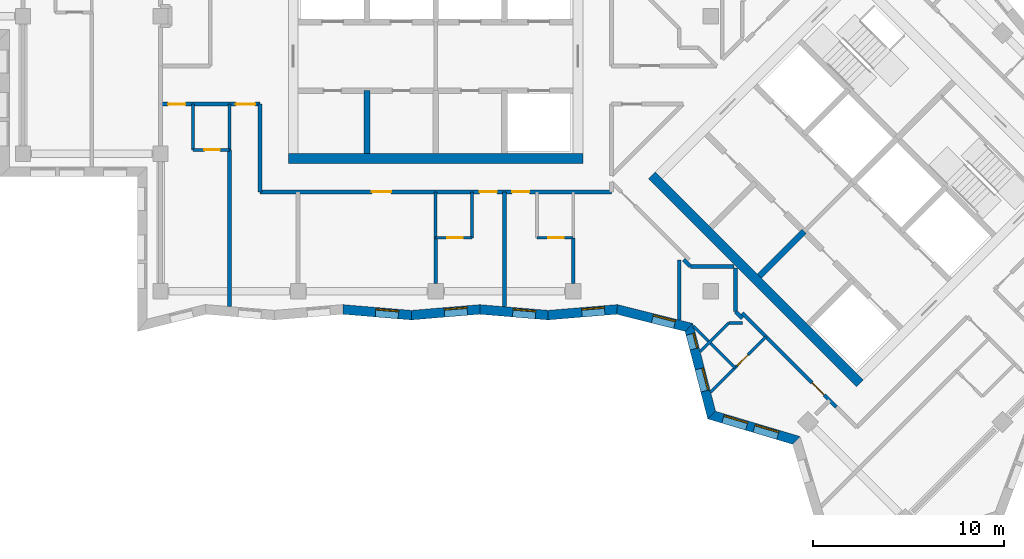
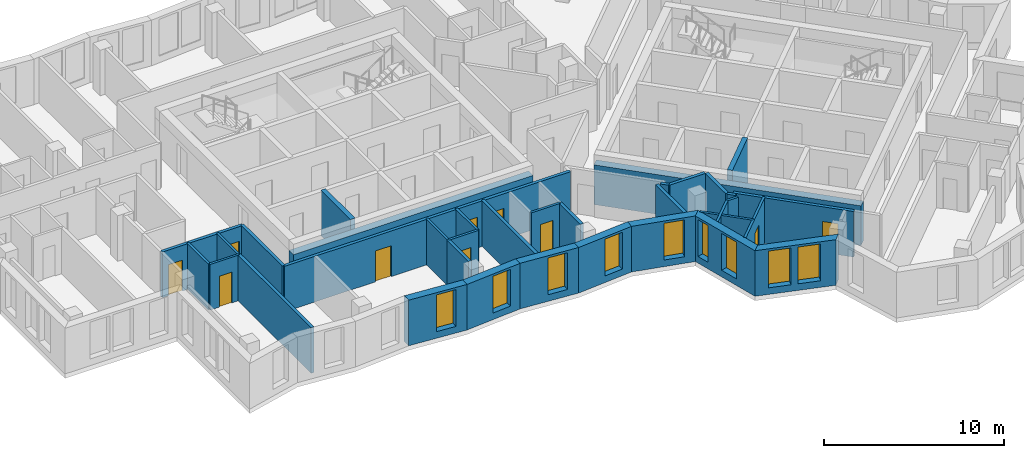
# One storey, part 3 of 11: 35 walls, 10 doors, 9 windows, 19 openings.
"""IFC4 building model written with IfcOpenShell, lengths in metres."""

from ifc_helpers import new_model, si_unit, direction, frame, frame_2d, origin, place, context, subcontext, project, spatial, polyline, rectangle, outline, extrude, material, layer, layer_set, type_object, element, fill, save


model = new_model("IFC4")

# Units and contexts
model_context = context("Model", 3, precision=1e-05, world=origin(), true_north=direction((0.0, 1.0)))
body_context = subcontext(model_context, "Body", "Model", "MODEL_VIEW")
ifc_project = project(units=[si_unit("LENGTHUNIT", "METRE"), si_unit("AREAUNIT", "SQUARE_METRE"), si_unit("VOLUMEUNIT", "CUBIC_METRE"), si_unit("PLANEANGLEUNIT", "RADIAN"), si_unit("MASSUNIT", "GRAM", prefix="KILO")], contexts=[model_context])

# Site, building, storey
site_placement = place(None, origin())
site = spatial("IfcSite", under=ifc_project, at=site_placement, CompositionType="ELEMENT")
building_placement = place(site_placement, origin())
building = spatial("IfcBuilding", under=site, at=building_placement, Name="Windrow Commons", CompositionType="ELEMENT")
storey_placement = place(building_placement, frame((0.0, 0.0, 189.6)))
storey = spatial("IfcBuildingStorey", under=building, at=storey_placement, Name="L51", CompositionType="ELEMENT", Elevation=189.6)

# Wall, opening, window
ifc_material_1 = material(Name="Brick masonry, red clay brick", Category="masonry")
ifc_layer_1 = layer(ifc_material_1, 0.5)
ifc_layer_set_1 = layer_set([ifc_layer_1], Name="Brick facade wall 500")
wall_type_1 = type_object("IfcWallType", Name="Brick facade wall 500", PredefinedType="SOLIDWALL", material=ifc_layer_set_1)
wall_1_placement = place(storey_placement, frame((59.946, 42.2509, 0.0), z_axis=(0.0, 0.0, 1.0), x_axis=(0.9965109432, -0.083462208, 0.0)))
wall_1 = element("IfcWall", 1, at=wall_1_placement, inside=storey, type_object=wall_type_1, Name="Brick facade wall L51 43", PredefinedType="SOLIDWALL", context=body_context, shape_type="SweptSolid", body=[
    extrude(outline(polyline([(0.0209, -0.25), (3.6155, -0.25), (3.5736, 0.25), (-0.0209, 0.25), (0.0209, -0.25)])), origin(), (0.0, 0.0, 1.0), 3.1),
])
opening_1_placement = place(wall_1_placement, frame((1.716, 0.0, 0.45)))
opening_1 = element("IfcOpeningElement", 2, at=opening_1_placement, cuts=wall_1, Name="Opening W7E", PredefinedType="OPENING", context=body_context, shape_type="SweptSolid", body=[
    extrude(rectangle(XDim=1.2, YDim=2.5, at=frame_2d((0.6, 1.25))), frame((0.0, 0.26, 0.0), z_axis=(0.0, -1.0, 0.0), x_axis=(1.0, 0.0, 0.0)), (0.0, 0.0, 1.0), 0.52),
])
ifc_material_2 = material(Name="Clear float glass in anodised aluminium frame", Category="aluminium")
window_type_1 = type_object("IfcWindowType", Name="Window W7 notch 1200x2500", PartitioningType="SINGLE_PANEL", PredefinedType="WINDOW", material=ifc_material_2)
window_1_placement = place(opening_1_placement, origin())
window_1 = element("IfcWindow", 3, at=window_1_placement, inside=storey, type_object=window_type_1, Name="Window L51 43.1", OverallHeight=2.5, OverallWidth=1.2, PartitioningType="SINGLE_PANEL", PredefinedType="WINDOW", context=body_context, shape_type="SweptSolid", body=[
    extrude(rectangle(XDim=1.2, YDim=2.5, at=frame_2d((0.6, 1.25))), frame((0.0, 0.18, 0.0), z_axis=(0.0, -1.0, 0.0), x_axis=(1.0, 0.0, 0.0)), (0.0, 0.0, 1.0), 0.06),
])
fill(opening_1, window_1)

wall_2_placement = place(storey_placement, frame((63.5279, 41.9509, 0.0), z_axis=(0.0, 0.0, 1.0), x_axis=(0.9965111369, 0.0834598942, 0.0)))
wall_2 = element("IfcWall", 4, at=wall_2_placement, inside=storey, type_object=wall_type_1, Name="Brick facade wall L51 44", PredefinedType="SOLIDWALL", context=body_context, shape_type="SweptSolid", body=[
    extrude(outline(polyline([(-0.0209, -0.25), (3.5736, -0.25), (3.6155, 0.25), (0.0209, 0.25), (-0.0209, -0.25)])), origin(), (0.0, 0.0, 1.0), 3.1),
])
opening_2_placement = place(wall_2_placement, frame((1.7355, 0.0, 0.45)))
opening_2 = element("IfcOpeningElement", 5, at=opening_2_placement, cuts=wall_2, Name="Opening W7E", PredefinedType="OPENING", context=body_context, shape_type="SweptSolid", body=[
    extrude(rectangle(XDim=1.2, YDim=2.5, at=frame_2d((0.6, 1.25))), frame((0.0, 0.26, 0.0), z_axis=(0.0, -1.0, 0.0), x_axis=(1.0, 0.0, 0.0)), (0.0, 0.0, 1.0), 0.52),
])
window_2_placement = place(opening_2_placement, origin())
window_2 = element("IfcWindow", 6, at=window_2_placement, inside=storey, type_object=window_type_1, Name="Window L51 44.1", OverallHeight=2.5, OverallWidth=1.2, PartitioningType="SINGLE_PANEL", PredefinedType="WINDOW", context=body_context, shape_type="SweptSolid", body=[
    extrude(rectangle(XDim=1.2, YDim=2.5, at=frame_2d((0.6, 1.25))), frame((0.0, 0.18, 0.0), z_axis=(0.0, -1.0, 0.0), x_axis=(1.0, 0.0, 0.0)), (0.0, 0.0, 1.0), 0.06),
])
fill(opening_2, window_2)

wall_3_placement = place(storey_placement, frame((67.1099, 42.2509, 0.0), z_axis=(0.0, 0.0, 1.0), x_axis=(0.9965111369, -0.0834598942, 0.0)))
wall_3 = element("IfcWall", 7, at=wall_3_placement, inside=storey, type_object=wall_type_1, Name="Brick facade wall L51 45", PredefinedType="SOLIDWALL", context=body_context, shape_type="SweptSolid", body=[
    extrude(outline(polyline([(0.0209, -0.25), (3.6155, -0.25), (3.5736, 0.25), (-0.0209, 0.25), (0.0209, -0.25)])), origin(), (0.0, 0.0, 1.0), 3.1),
])
opening_3_placement = place(wall_3_placement, frame((1.7341, 0.0, 0.45)))
opening_3 = element("IfcOpeningElement", 8, at=opening_3_placement, cuts=wall_3, Name="Opening W7E", PredefinedType="OPENING", context=body_context, shape_type="SweptSolid", body=[
    extrude(rectangle(XDim=1.2, YDim=2.5, at=frame_2d((0.6, 1.25))), frame((0.0, 0.26, 0.0), z_axis=(0.0, -1.0, 0.0), x_axis=(1.0, 0.0, 0.0)), (0.0, 0.0, 1.0), 0.52),
])
window_3_placement = place(opening_3_placement, origin())
window_3 = element("IfcWindow", 9, at=window_3_placement, inside=storey, type_object=window_type_1, Name="Window L51 45.1", OverallHeight=2.5, OverallWidth=1.2, PartitioningType="SINGLE_PANEL", PredefinedType="WINDOW", context=body_context, shape_type="SweptSolid", body=[
    extrude(rectangle(XDim=1.2, YDim=2.5, at=frame_2d((0.6, 1.25))), frame((0.0, 0.18, 0.0), z_axis=(0.0, -1.0, 0.0), x_axis=(1.0, 0.0, 0.0)), (0.0, 0.0, 1.0), 0.06),
])
fill(opening_3, window_3)

wall_4_placement = place(storey_placement, frame((70.6919, 41.9509, 0.0), z_axis=(0.0, 0.0, 1.0), x_axis=(0.9965117188, 0.0834529466, 0.0)))
wall_4 = element("IfcWall", 10, at=wall_4_placement, inside=storey, type_object=wall_type_1, Name="Brick facade wall L51 46", PredefinedType="SOLIDWALL", context=body_context, shape_type="SweptSolid", body=[
    extrude(outline(polyline([(-0.0209, -0.25), (3.5736, -0.25), (3.6568, 0.25), (0.0209, 0.25), (-0.0209, -0.25)])), origin(), (0.0, 0.0, 1.0), 3.1),
])
opening_4_placement = place(wall_4_placement, frame((1.7639, 0.0, 0.45)))
opening_4 = element("IfcOpeningElement", 11, at=opening_4_placement, cuts=wall_4, Name="Opening W7E", PredefinedType="OPENING", context=body_context, shape_type="SweptSolid", body=[
    extrude(rectangle(XDim=1.2, YDim=2.5, at=frame_2d((0.6, 1.25))), frame((0.0, 0.26, 0.0), z_axis=(0.0, -1.0, 0.0), x_axis=(1.0, 0.0, 0.0)), (0.0, 0.0, 1.0), 0.52),
])
window_4_placement = place(opening_4_placement, origin())
window_4 = element("IfcWindow", 12, at=window_4_placement, inside=storey, type_object=window_type_1, Name="Window L51 46.1", OverallHeight=2.5, OverallWidth=1.2, PartitioningType="SINGLE_PANEL", PredefinedType="WINDOW", context=body_context, shape_type="SweptSolid", body=[
    extrude(rectangle(XDim=1.2, YDim=2.5, at=frame_2d((0.6, 1.25))), frame((0.0, 0.18, 0.0), z_axis=(0.0, -1.0, 0.0), x_axis=(1.0, 0.0, 0.0)), (0.0, 0.0, 1.0), 0.06),
])
fill(opening_4, window_4)

wall_5_placement = place(storey_placement, frame((74.2945, 42.2526, 0.0), z_axis=(0.0, 0.0, 1.0), x_axis=(0.969855535, -0.243680613, 0.0)))
wall_5 = element("IfcWall", 13, at=wall_5_placement, inside=storey, type_object=wall_type_1, Name="Brick facade wall L51 47", PredefinedType="SOLIDWALL", context=body_context, shape_type="SweptSolid", body=[
    extrude(outline(polyline([(0.0416, -0.25), (3.7349, -0.25), (4.0317, 0.25), (-0.0416, 0.25), (0.0416, -0.25)])), origin(), (0.0, 0.0, 1.0), 3.1),
])
opening_5_placement = place(wall_5_placement, frame((1.9147, 0.0, 0.45)))
opening_5 = element("IfcOpeningElement", 14, at=opening_5_placement, cuts=wall_5, Name="Opening W7E", PredefinedType="OPENING", context=body_context, shape_type="SweptSolid", body=[
    extrude(rectangle(XDim=1.2, YDim=2.5, at=frame_2d((0.6, 1.25))), frame((0.0, 0.26, 0.0), z_axis=(0.0, -1.0, 0.0), x_axis=(1.0, 0.0, 0.0)), (0.0, 0.0, 1.0), 0.52),
])
window_5_placement = place(opening_5_placement, origin())
window_5 = element("IfcWindow", 15, at=window_5_placement, inside=storey, type_object=window_type_1, Name="Window L51 47.1", OverallHeight=2.5, OverallWidth=1.2, PartitioningType="SINGLE_PANEL", PredefinedType="WINDOW", context=body_context, shape_type="SweptSolid", body=[
    extrude(rectangle(XDim=1.2, YDim=2.5, at=frame_2d((0.6, 1.25))), frame((0.0, 0.18, 0.0), z_axis=(0.0, -1.0, 0.0), x_axis=(1.0, 0.0, 0.0)), (0.0, 0.0, 1.0), 0.06),
])
fill(opening_5, window_5)

# Wall, openings, windows
wall_6_placement = place(storey_placement, frame((78.0608, 41.3063, 0.0), z_axis=(0.0, 0.0, 1.0), x_axis=(0.2504653843, -0.9681255555, 0.0)))
wall_6 = element("IfcWall", 16, at=wall_6_placement, inside=storey, type_object=wall_type_1, Name="Brick facade wall L51 48", PredefinedType="SOLIDWALL", context=body_context, shape_type="SweptSolid", body=[
    extrude(outline(polyline([(0.1484, -0.25), (4.8778, -0.25), (4.5957, 0.25), (-0.1484, 0.25), (0.1484, -0.25)])), origin(), (0.0, 0.0, 1.0), 3.1),
])
opening_6_placement = place(wall_6_placement, frame((2.2291, 0.0, 0.45)))
opening_6 = element("IfcOpeningElement", 17, at=opening_6_placement, cuts=wall_6, Name="Opening W7E", PredefinedType="OPENING", context=body_context, shape_type="SweptSolid", body=[
    extrude(rectangle(XDim=1.2, YDim=2.5, at=frame_2d((0.6, 1.25))), frame((0.0, 0.26, 0.0), z_axis=(0.0, -1.0, 0.0), x_axis=(1.0, 0.0, 0.0)), (0.0, 0.0, 1.0), 0.52),
])
opening_7_placement = place(wall_6_placement, frame((0.356, 0.0, 0.45)))
opening_7 = element("IfcOpeningElement", 18, at=opening_7_placement, cuts=wall_6, Name="Opening W1N", PredefinedType="OPENING", context=body_context, shape_type="SweptSolid", body=[
    extrude(rectangle(XDim=0.8, YDim=2.5, at=frame_2d((0.4, 1.25))), frame((0.0, 0.26, 0.0), z_axis=(0.0, -1.0, 0.0), x_axis=(1.0, 0.0, 0.0)), (0.0, 0.0, 1.0), 0.52),
])
ifc_material_3 = material(Name="Clear float glass in anodised aluminium frame", Category="aluminium")
window_type_2 = type_object("IfcWindowType", Name="Window W1N slit 800x2500", PartitioningType="SINGLE_PANEL", PredefinedType="WINDOW", material=ifc_material_3)
window_6_placement = place(opening_7_placement, origin())
window_6 = element("IfcWindow", 19, at=window_6_placement, inside=storey, type_object=window_type_2, Name="Window L51 48.1A", OverallHeight=2.5, OverallWidth=0.8, PartitioningType="SINGLE_PANEL", PredefinedType="WINDOW", context=body_context, shape_type="SweptSolid", body=[
    extrude(rectangle(XDim=0.8, YDim=2.5, at=frame_2d((0.4, 1.25))), frame((0.0, 0.18, 0.0), z_axis=(0.0, -1.0, 0.0), x_axis=(1.0, 0.0, 0.0)), (0.0, 0.0, 1.0), 0.06),
])
fill(opening_7, window_6)
window_7_placement = place(opening_6_placement, origin())
window_7 = element("IfcWindow", 20, at=window_7_placement, inside=storey, type_object=window_type_1, Name="Window L51 48.2", OverallHeight=2.5, OverallWidth=1.2, PartitioningType="SINGLE_PANEL", PredefinedType="WINDOW", context=body_context, shape_type="SweptSolid", body=[
    extrude(rectangle(XDim=1.2, YDim=2.5, at=frame_2d((0.6, 1.25))), frame((0.0, 0.18, 0.0), z_axis=(0.0, -1.0, 0.0), x_axis=(1.0, 0.0, 0.0)), (0.0, 0.0, 1.0), 0.06),
])
fill(opening_6, window_7)

wall_7_placement = place(storey_placement, frame((79.2472, 36.7205, 0.0), z_axis=(0.0, 0.0, 1.0), x_axis=(0.9581363614, -0.2863122647, 0.0)))
wall_7 = element("IfcWall", 21, at=wall_7_placement, inside=storey, type_object=wall_type_1, Name="Brick facade wall L51 49", PredefinedType="SOLIDWALL", context=body_context, shape_type="SweptSolid", body=[
    extrude(outline(polyline([(-0.141, -0.25), (4.4901, -0.25), (4.76, 0.25), (0.141, 0.25), (-0.141, -0.25)])), origin(), (0.0, 0.0, 1.0), 3.1),
])
opening_8_placement = place(wall_7_placement, frame((0.6246, 0.0, 0.45)))
opening_8 = element("IfcOpeningElement", 22, at=opening_8_placement, cuts=wall_7, Name="Opening W1Q", PredefinedType="OPENING", context=body_context, shape_type="SweptSolid", body=[
    extrude(rectangle(XDim=1.3, YDim=2.5, at=frame_2d((0.65, 1.25))), frame((0.0, 0.26, 0.0), z_axis=(0.0, -1.0, 0.0), x_axis=(1.0, 0.0, 0.0)), (0.0, 0.0, 1.0), 0.52),
])
opening_9_placement = place(wall_7_placement, frame((2.3246, 0.0, 0.45)))
opening_9 = element("IfcOpeningElement", 23, at=opening_9_placement, cuts=wall_7, Name="Opening W1Q", PredefinedType="OPENING", context=body_context, shape_type="SweptSolid", body=[
    extrude(rectangle(XDim=1.3, YDim=2.5, at=frame_2d((0.65, 1.25))), frame((0.0, 0.26, 0.0), z_axis=(0.0, -1.0, 0.0), x_axis=(1.0, 0.0, 0.0)), (0.0, 0.0, 1.0), 0.52),
])
ifc_material_4 = material(Name="Clear float glass in anodised aluminium frame", Category="aluminium")
window_type_3 = type_object("IfcWindowType", Name="Window W1Q pair 1300x2500", PartitioningType="SINGLE_PANEL", PredefinedType="WINDOW", material=ifc_material_4)
window_8_placement = place(opening_8_placement, origin())
window_8 = element("IfcWindow", 24, at=window_8_placement, inside=storey, type_object=window_type_3, Name="Window L51 49.1A", OverallHeight=2.5, OverallWidth=1.3, PartitioningType="SINGLE_PANEL", PredefinedType="WINDOW", context=body_context, shape_type="SweptSolid", body=[
    extrude(rectangle(XDim=1.3, YDim=2.5, at=frame_2d((0.65, 1.25))), frame((0.0, 0.18, 0.0), z_axis=(0.0, -1.0, 0.0), x_axis=(1.0, 0.0, 0.0)), (0.0, 0.0, 1.0), 0.06),
])
fill(opening_8, window_8)
window_9_placement = place(opening_9_placement, origin())
window_9 = element("IfcWindow", 25, at=window_9_placement, inside=storey, type_object=window_type_3, Name="Window L51 49.1B", OverallHeight=2.5, OverallWidth=1.3, PartitioningType="SINGLE_PANEL", PredefinedType="WINDOW", context=body_context, shape_type="SweptSolid", body=[
    extrude(rectangle(XDim=1.3, YDim=2.5, at=frame_2d((0.65, 1.25))), frame((0.0, 0.18, 0.0), z_axis=(0.0, -1.0, 0.0), x_axis=(1.0, 0.0, 0.0)), (0.0, 0.0, 1.0), 0.06),
])
fill(opening_9, window_9)

# Wall, openings, doors
ifc_material_5 = material(Name="Blockwork partition", Category="masonry")
ifc_layer_2 = layer(ifc_material_5, 0.2)
ifc_layer_set_2 = layer_set([ifc_layer_2], Name="IW-CORRIDOR-200")
wall_type_2 = type_object("IfcWallType", Name="IW-CORRIDOR-200", PredefinedType="PARTITIONING", material=ifc_layer_set_2)
wall_8_placement = place(storey_placement, frame((55.6, 48.4, 0.0), z_axis=(0.0, 0.0, 1.0), x_axis=(1.0, 0.0, 0.0)))
wall_8 = element("IfcWall", 26, at=wall_8_placement, inside=storey, type_object=wall_type_2, Name="W-L51-W001", PredefinedType="PARTITIONING", context=body_context, shape_type="SweptSolid", body=[
    extrude(rectangle(XDim=18.4, YDim=0.2, at=frame_2d((9.2, 0.0))), origin(), (0.0, 0.0, 1.0), 3.1),
])
opening_10_placement = place(wall_8_placement, frame((5.8625, 0.0, 0.0)))
opening_10 = element("IfcOpeningElement", 27, at=opening_10_placement, cuts=wall_8, Name="Opening D310F", PredefinedType="OPENING", context=body_context, shape_type="SweptSolid", body=[
    extrude(rectangle(XDim=1.0, YDim=2.1, at=frame_2d((0.5, 1.05))), frame((0.0, 0.11, 0.0), z_axis=(0.0, -1.0, 0.0), x_axis=(1.0, 0.0, 0.0)), (0.0, 0.0, 1.0), 0.22),
])
opening_11_placement = place(wall_8_placement, frame((11.5, 0.0, 0.0)))
opening_11 = element("IfcOpeningElement", 28, at=opening_11_placement, cuts=wall_8, Name="Opening D109S", PredefinedType="OPENING", context=body_context, shape_type="SweptSolid", body=[
    extrude(rectangle(XDim=0.9, YDim=2.1, at=frame_2d((0.45, 1.05))), frame((0.0, 0.11, 0.0), z_axis=(0.0, -1.0, 0.0), x_axis=(1.0, 0.0, 0.0)), (0.0, 0.0, 1.0), 0.22),
])
opening_12_placement = place(wall_8_placement, frame((13.2, 0.0, 0.0)))
opening_12 = element("IfcOpeningElement", 29, at=opening_12_placement, cuts=wall_8, Name="Opening D109S", PredefinedType="OPENING", context=body_context, shape_type="SweptSolid", body=[
    extrude(rectangle(XDim=0.9, YDim=2.1, at=frame_2d((0.45, 1.05))), frame((0.0, 0.11, 0.0), z_axis=(0.0, -1.0, 0.0), x_axis=(1.0, 0.0, 0.0)), (0.0, 0.0, 1.0), 0.22),
])
ifc_material_6 = material(Name="Timber door leaf", Category="wood")
door_type_1 = type_object("IfcDoorType", Name="DT-AMENITY-1000", OperationType="SINGLE_SWING_LEFT", PredefinedType="DOOR", material=ifc_material_6)
door_1_placement = place(opening_10_placement, origin())
door_1 = element("IfcDoor", 30, at=door_1_placement, inside=storey, type_object=door_type_1, Name="D-L51-D025", OperationType="SINGLE_SWING_LEFT", OverallHeight=2.1, OverallWidth=1.0, PredefinedType="DOOR", context=body_context, shape_type="SweptSolid", body=[
    extrude(rectangle(XDim=1.0, YDim=2.1, at=frame_2d((0.5, 1.05))), frame((0.0, 0.025, 0.0), z_axis=(0.0, -1.0, 0.0), x_axis=(1.0, 0.0, 0.0)), (0.0, 0.0, 1.0), 0.05),
])
fill(opening_10, door_1)
ifc_material_7 = material(Name="Timber door leaf", Category="wood")
door_type_2 = type_object("IfcDoorType", Name="DT-BEDROOM-900", OperationType="SINGLE_SWING_LEFT", PredefinedType="DOOR", material=ifc_material_7)
door_2_placement = place(opening_11_placement, origin())
door_2 = element("IfcDoor", 31, at=door_2_placement, inside=storey, type_object=door_type_2, Name="D-L51-D026", OperationType="SINGLE_SWING_LEFT", OverallHeight=2.1, OverallWidth=0.9, PredefinedType="DOOR", context=body_context, shape_type="SweptSolid", body=[
    extrude(rectangle(XDim=0.9, YDim=2.1, at=frame_2d((0.45, 1.05))), frame((0.0, 0.025, 0.0), z_axis=(0.0, -1.0, 0.0), x_axis=(1.0, 0.0, 0.0)), (0.0, 0.0, 1.0), 0.05),
])
fill(opening_11, door_2)
door_3_placement = place(opening_12_placement, origin())
door_3 = element("IfcDoor", 32, at=door_3_placement, inside=storey, type_object=door_type_2, Name="D-L51-D028", OperationType="SINGLE_SWING_RIGHT", OverallHeight=2.1, OverallWidth=0.9, PredefinedType="DOOR", context=body_context, shape_type="SweptSolid", body=[
    extrude(rectangle(XDim=0.9, YDim=2.1, at=frame_2d((0.45, 1.05))), frame((0.0, 0.025, 0.0), z_axis=(0.0, -1.0, 0.0), x_axis=(1.0, 0.0, 0.0)), (0.0, 0.0, 1.0), 0.05),
])
fill(opening_12, door_3)

# Wall, opening, door
wall_9_placement = place(storey_placement, frame((80.8487, 42.0607, 0.0), z_axis=(0.0, 0.0, 1.0), x_axis=(0.7071067812, -0.7071067812, 0.0)))
wall_9 = element("IfcWall", 33, at=wall_9_placement, inside=storey, type_object=wall_type_2, Name="W-L51-W016", PredefinedType="PARTITIONING", context=body_context, shape_type="SweptSolid", body=[
    extrude(rectangle(XDim=6.9636, YDim=0.2, at=frame_2d((3.4818, 0.0))), origin(), (0.0, 0.0, 1.0), 3.1),
])
opening_13_placement = place(wall_9_placement, frame((5.1589, 0.0, 0.0)))
opening_13 = element("IfcOpeningElement", 34, at=opening_13_placement, cuts=wall_9, Name="Opening D109S", PredefinedType="OPENING", context=body_context, shape_type="SweptSolid", body=[
    extrude(rectangle(XDim=0.9, YDim=2.1, at=frame_2d((0.45, 1.05))), frame((0.0, 0.11, 0.0), z_axis=(0.0, -1.0, 0.0), x_axis=(1.0, 0.0, 0.0)), (0.0, 0.0, 1.0), 0.22),
])
door_4_placement = place(opening_13_placement, origin())
door_4 = element("IfcDoor", 35, at=door_4_placement, inside=storey, type_object=door_type_2, Name="D-L51-D036", OperationType="SINGLE_SWING_RIGHT", OverallHeight=2.1, OverallWidth=0.9, PredefinedType="DOOR", context=body_context, shape_type="SweptSolid", body=[
    extrude(rectangle(XDim=0.9, YDim=2.1, at=frame_2d((0.45, 1.05))), frame((0.0, 0.025, 0.0), z_axis=(0.0, -1.0, 0.0), x_axis=(1.0, 0.0, 0.0)), (0.0, 0.0, 1.0), 0.05),
])
fill(opening_13, door_4)

# Wall, openings, doors
wall_10_placement = place(storey_placement, frame((50.4, 53.0, 0.0), z_axis=(0.0, 0.0, 1.0), x_axis=(1.0, 0.0, 0.0)))
wall_10 = element("IfcWall", 36, at=wall_10_placement, inside=storey, type_object=wall_type_2, Name="W-L51-W033", PredefinedType="PARTITIONING", context=body_context, shape_type="SweptSolid", body=[
    extrude(rectangle(XDim=5.2, YDim=0.2, at=frame_2d((2.6, 0.0))), origin(), (0.0, 0.0, 1.0), 3.1),
])
opening_14_placement = place(wall_10_placement, frame((0.4, 0.0, 0.0)))
opening_14 = element("IfcOpeningElement", 37, at=opening_14_placement, cuts=wall_10, Name="Opening D109S", PredefinedType="OPENING", context=body_context, shape_type="SweptSolid", body=[
    extrude(rectangle(XDim=0.9, YDim=2.1, at=frame_2d((0.45, 1.05))), frame((0.0, 0.11, 0.0), z_axis=(0.0, -1.0, 0.0), x_axis=(1.0, 0.0, 0.0)), (0.0, 0.0, 1.0), 0.22),
])
opening_15_placement = place(wall_10_placement, frame((3.9455, 0.0, 0.0)))
opening_15 = element("IfcOpeningElement", 38, at=opening_15_placement, cuts=wall_10, Name="Opening D310F", PredefinedType="OPENING", context=body_context, shape_type="SweptSolid", body=[
    extrude(rectangle(XDim=1.0, YDim=2.1, at=frame_2d((0.5, 1.05))), frame((0.0, 0.11, 0.0), z_axis=(0.0, -1.0, 0.0), x_axis=(1.0, 0.0, 0.0)), (0.0, 0.0, 1.0), 0.22),
])
door_5_placement = place(opening_15_placement, origin())
door_5 = element("IfcDoor", 39, at=door_5_placement, inside=storey, type_object=door_type_1, Name="D-L51-D024", OperationType="SINGLE_SWING_RIGHT", OverallHeight=2.1, OverallWidth=1.0, PredefinedType="DOOR", context=body_context, shape_type="SweptSolid", body=[
    extrude(rectangle(XDim=1.0, YDim=2.1, at=frame_2d((0.5, 1.05))), frame((0.0, 0.025, 0.0), z_axis=(0.0, -1.0, 0.0), x_axis=(1.0, 0.0, 0.0)), (0.0, 0.0, 1.0), 0.05),
])
fill(opening_15, door_5)
door_6_placement = place(opening_14_placement, origin())
door_6 = element("IfcDoor", 40, at=door_6_placement, inside=storey, type_object=door_type_2, Name="D-L51-D022", OperationType="SINGLE_SWING_LEFT", OverallHeight=2.1, OverallWidth=0.9, PredefinedType="DOOR", context=body_context, shape_type="SweptSolid", body=[
    extrude(rectangle(XDim=0.9, YDim=2.1, at=frame_2d((0.45, 1.05))), frame((0.0, 0.025, 0.0), z_axis=(0.0, -1.0, 0.0), x_axis=(1.0, 0.0, 0.0)), (0.0, 0.0, 1.0), 0.05),
])
fill(opening_14, door_6)

# Walls
wall_11_placement = place(storey_placement, frame((55.6, 48.4, 0.0), z_axis=(0.0, 0.0, 1.0), x_axis=(0.0, 1.0, 0.0)))
element("IfcWall", 41, at=wall_11_placement, inside=storey, type_object=wall_type_2, Name="W-L51-W043", PredefinedType="PARTITIONING", context=body_context, shape_type="SweptSolid", body=[
    extrude(rectangle(XDim=4.6, YDim=0.2, at=frame_2d((2.3, 0.0))), origin(), (0.0, 0.0, 1.0), 3.1),
])
for number, where, z_axis, x_axis, name in (
    (42, (78.132, 44.5, 0.0), (0.0, 0.0, 1.0), (1.0, 0.0, 0.0), "W-L51-W084"),
    (43, (80.5, 42.132, 0.0), (0.0, 0.0, 1.0), (0.0, 1.0, 0.0), "W-L51-W085"),
):
    element("IfcWall", number, at=place(storey_placement, frame(where, z_axis=z_axis, x_axis=x_axis)), inside=storey, type_object=wall_type_2, Name=name, PredefinedType="PARTITIONING", context=body_context, shape_type="SweptSolid", body=[
        extrude(rectangle(XDim=2.292, YDim=0.2, at=frame_2d((1.146, 0.0))), origin(), (0.0, 0.0, 1.0), 3.1),
    ])
for number, where, z_axis, x_axis, name in (
    (44, (77.7792, 44.8472, 0.0), (0.0, 0.0, 1.0), (0.7071067812, -0.7071067812, 0.0), "W-L51-W135"),
    (45, (80.4972, 42.1292, 0.0), (0.0, 0.0, 1.0), (0.7071067812, -0.7071067812, 0.0), "W-L51-W136"),
):
    element("IfcWall", number, at=place(storey_placement, frame(where, z_axis=z_axis, x_axis=x_axis)), inside=storey, type_object=wall_type_2, Name=name, PredefinedType="PARTITIONING", context=body_context, shape_type="SweptSolid", body=[
        extrude(rectangle(XDim=0.495, YDim=0.2, at=frame_2d((0.2475, 0.0))), origin(), (0.0, 0.0, 1.0), 3.1),
    ])

# Wall, opening, door
ifc_material_8 = material(Name="Blockwork partition", Category="masonry")
ifc_layer_3 = layer(ifc_material_8, 0.15)
ifc_layer_set_3 = layer_set([ifc_layer_3], Name="IW-ENSUITE-150")
wall_type_3 = type_object("IfcWallType", Name="IW-ENSUITE-150", PredefinedType="PARTITIONING", material=ifc_layer_set_3)
wall_12_placement = place(storey_placement, frame((79.1963, 37.9154, 0.0), z_axis=(0.0, 0.0, 1.0), x_axis=(0.7070945944, 0.7071189677, 0.0)))
wall_12 = element("IfcWall", 46, at=wall_12_placement, inside=storey, type_object=wall_type_3, Name="W-L51-W046", PredefinedType="PARTITIONING", context=body_context, shape_type="SweptSolid", body=[
    extrude(rectangle(XDim=4.1028, YDim=0.15, at=frame_2d((2.0514, 0.0))), origin(), (0.0, 0.0, 1.0), 3.1),
])
opening_16_placement = place(wall_12_placement, frame((1.9624, 0.0, 0.0)))
opening_16 = element("IfcOpeningElement", 47, at=opening_16_placement, cuts=wall_12, Name="Opening D208N", PredefinedType="OPENING", context=body_context, shape_type="SweptSolid", body=[
    extrude(rectangle(XDim=0.8, YDim=2.1, at=frame_2d((0.4, 1.05))), frame((0.0, 0.085, 0.0), z_axis=(0.0, -1.0, 0.0), x_axis=(1.0, 0.0, 0.0)), (0.0, 0.0, 1.0), 0.17),
])
ifc_material_9 = material(Name="Timber door leaf", Category="wood")
door_type_3 = type_object("IfcDoorType", Name="DT-ENSUITE-800", OperationType="SINGLE_SWING_LEFT", PredefinedType="DOOR", material=ifc_material_9)
door_7_placement = place(opening_16_placement, origin())
door_7 = element("IfcDoor", 48, at=door_7_placement, inside=storey, type_object=door_type_3, Name="D-L51-D037", OperationType="SINGLE_SWING_RIGHT", OverallHeight=2.1, OverallWidth=0.8, PredefinedType="DOOR", context=body_context, shape_type="SweptSolid", body=[
    extrude(rectangle(XDim=0.8, YDim=2.1, at=frame_2d((0.4, 1.05))), frame((0.0, 0.025, 0.0), z_axis=(0.0, -1.0, 0.0), x_axis=(1.0, 0.0, 0.0)), (0.0, 0.0, 1.0), 0.05),
])
fill(opening_16, door_7)

# Walls
wall_13_placement = place(storey_placement, frame((78.3028, 41.3687, 0.0), z_axis=(0.0, 0.0, 1.0), x_axis=(0.706602443, -0.7076107599, 0.0)))
element("IfcWall", 49, at=wall_13_placement, inside=storey, type_object=wall_type_3, Name="W-L51-W055", PredefinedType="PARTITIONING", context=body_context, shape_type="SweptSolid", body=[
    extrude(rectangle(XDim=3.0744, YDim=0.15, at=frame_2d((1.5372, 0.0))), origin(), (0.0, 0.0, 1.0), 3.1),
])
for number, where, z_axis, x_axis, name in (
    (50, (52.1, 50.6, 0.0), (0.0, 0.0, 1.0), (0.0, 1.0, 0.0), "W-L51-W066"),
    (51, (54.0, 50.6, 0.0), (0.0, 0.0, 1.0), (0.0, 1.0, 0.0), "W-L51-W067"),
    (52, (66.7, 46.0, 0.0), (0.0, 0.0, 1.0), (0.0, 1.0, 0.0), "W-L51-W069"),
    (53, (64.8, 46.0, 0.0), (0.0, 0.0, 1.0), (0.0, 1.0, 0.0), "W-L51-W070"),
):
    element("IfcWall", number, at=place(storey_placement, frame(where, z_axis=z_axis, x_axis=x_axis)), inside=storey, type_object=wall_type_3, Name=name, PredefinedType="PARTITIONING", context=body_context, shape_type="SweptSolid", body=[
        extrude(rectangle(XDim=2.4, YDim=0.15, at=frame_2d((1.2, 0.0))), origin(), (0.0, 0.0, 1.0), 3.1),
    ])
wall_14_placement = place(storey_placement, frame((78.644, 40.0501, 0.0), z_axis=(0.0, 0.0, 1.0), x_axis=(0.7070832255, 0.7071303361, 0.0)))
element("IfcWall", 54, at=wall_14_placement, inside=storey, type_object=wall_type_3, Name="W-L51-W094", PredefinedType="PARTITIONING", context=body_context, shape_type="SweptSolid", body=[
    extrude(rectangle(XDim=2.1227, YDim=0.15, at=frame_2d((1.0614, 0.0))), origin(), (0.0, 0.0, 1.0), 3.1),
])

# Wall, opening, door
wall_15_placement = place(storey_placement, frame((64.8, 46.0, 0.0), z_axis=(0.0, 0.0, 1.0), x_axis=(1.0, 0.0, 0.0)))
wall_15 = element("IfcWall", 55, at=wall_15_placement, inside=storey, type_object=wall_type_3, Name="W-L51-W104", PredefinedType="PARTITIONING", context=body_context, shape_type="SweptSolid", body=[
    extrude(rectangle(XDim=1.9, YDim=0.15, at=frame_2d((0.95, 0.0))), origin(), (0.0, 0.0, 1.0), 3.1),
])
opening_17_placement = place(wall_15_placement, frame((0.6069, 0.0, 0.0)))
opening_17 = element("IfcOpeningElement", 56, at=opening_17_placement, cuts=wall_15, Name="Opening D208N", PredefinedType="OPENING", context=body_context, shape_type="SweptSolid", body=[
    extrude(rectangle(XDim=0.8, YDim=2.1, at=frame_2d((0.4, 1.05))), frame((0.0, 0.085, 0.0), z_axis=(0.0, -1.0, 0.0), x_axis=(1.0, 0.0, 0.0)), (0.0, 0.0, 1.0), 0.17),
])
door_8_placement = place(opening_17_placement, origin())
door_8 = element("IfcDoor", 57, at=door_8_placement, inside=storey, type_object=door_type_3, Name="D-L51-D027", OperationType="SINGLE_SWING_RIGHT", OverallHeight=2.1, OverallWidth=0.8, PredefinedType="DOOR", context=body_context, shape_type="SweptSolid", body=[
    extrude(rectangle(XDim=0.8, YDim=2.1, at=frame_2d((0.4, 1.05))), frame((0.0, 0.025, 0.0), z_axis=(0.0, -1.0, 0.0), x_axis=(1.0, 0.0, 0.0)), (0.0, 0.0, 1.0), 0.05),
])
fill(opening_17, door_8)

wall_16_placement = place(storey_placement, frame((70.1, 46.0, 0.0), z_axis=(0.0, 0.0, 1.0), x_axis=(1.0, 0.0, 0.0)))
wall_16 = element("IfcWall", 58, at=wall_16_placement, inside=storey, type_object=wall_type_3, Name="W-L51-W105", PredefinedType="PARTITIONING", context=body_context, shape_type="SweptSolid", body=[
    extrude(rectangle(XDim=1.9, YDim=0.15, at=frame_2d((0.95, 0.0))), origin(), (0.0, 0.0, 1.0), 3.1),
])
opening_18_placement = place(wall_16_placement, frame((0.5979, 0.0, 0.0)))
opening_18 = element("IfcOpeningElement", 59, at=opening_18_placement, cuts=wall_16, Name="Opening D208N", PredefinedType="OPENING", context=body_context, shape_type="SweptSolid", body=[
    extrude(rectangle(XDim=0.8, YDim=2.1, at=frame_2d((0.4, 1.05))), frame((0.0, 0.085, 0.0), z_axis=(0.0, -1.0, 0.0), x_axis=(1.0, 0.0, 0.0)), (0.0, 0.0, 1.0), 0.17),
])
door_9_placement = place(opening_18_placement, origin())
door_9 = element("IfcDoor", 60, at=door_9_placement, inside=storey, type_object=door_type_3, Name="D-L51-D029", OperationType="SINGLE_SWING_RIGHT", OverallHeight=2.1, OverallWidth=0.8, PredefinedType="DOOR", context=body_context, shape_type="SweptSolid", body=[
    extrude(rectangle(XDim=0.8, YDim=2.1, at=frame_2d((0.4, 1.05))), frame((0.0, 0.025, 0.0), z_axis=(0.0, -1.0, 0.0), x_axis=(1.0, 0.0, 0.0)), (0.0, 0.0, 1.0), 0.05),
])
fill(opening_18, door_9)

wall_17_placement = place(storey_placement, frame((52.1, 50.6, 0.0), z_axis=(0.0, 0.0, 1.0), x_axis=(1.0, 0.0, 0.0)))
wall_17 = element("IfcWall", 61, at=wall_17_placement, inside=storey, type_object=wall_type_3, Name="W-L51-W108", PredefinedType="PARTITIONING", context=body_context, shape_type="SweptSolid", body=[
    extrude(rectangle(XDim=1.9, YDim=0.15, at=frame_2d((0.95, 0.0))), origin(), (0.0, 0.0, 1.0), 3.1),
])
opening_19_placement = place(wall_17_placement, frame((0.5979, 0.0, 0.0)))
opening_19 = element("IfcOpeningElement", 62, at=opening_19_placement, cuts=wall_17, Name="Opening D208N", PredefinedType="OPENING", context=body_context, shape_type="SweptSolid", body=[
    extrude(rectangle(XDim=0.8, YDim=2.1, at=frame_2d((0.4, 1.05))), frame((0.0, 0.085, 0.0), z_axis=(0.0, -1.0, 0.0), x_axis=(1.0, 0.0, 0.0)), (0.0, 0.0, 1.0), 0.17),
])
door_10_placement = place(opening_19_placement, origin())
door_10 = element("IfcDoor", 63, at=door_10_placement, inside=storey, type_object=door_type_3, Name="D-L51-D023", OperationType="SINGLE_SWING_RIGHT", OverallHeight=2.1, OverallWidth=0.8, PredefinedType="DOOR", context=body_context, shape_type="SweptSolid", body=[
    extrude(rectangle(XDim=0.8, YDim=2.1, at=frame_2d((0.4, 1.05))), frame((0.0, 0.025, 0.0), z_axis=(0.0, -1.0, 0.0), x_axis=(1.0, 0.0, 0.0)), (0.0, 0.0, 1.0), 0.05),
])
fill(opening_19, door_10)

# Walls
wall_18_placement = place(storey_placement, frame((80.146, 41.55, 0.0), z_axis=(0.0, 0.0, 1.0), x_axis=(1.0, 0.0, 0.0)))
element("IfcWall", 64, at=wall_18_placement, inside=storey, type_object=wall_type_3, Name="W-L51-W127", PredefinedType="PARTITIONING", context=body_context, shape_type="SweptSolid", body=[
    extrude(rectangle(XDim=0.702, YDim=0.15, at=frame_2d((0.351, 0.0))), origin(), (0.0, 0.0, 1.0), 3.1),
])
ifc_material_10 = material(Name="Blockwork partition", Category="masonry")
ifc_layer_4 = layer(ifc_material_10, 0.2)
ifc_layer_set_4 = layer_set([ifc_layer_4], Name="IW-PARTY-200")
wall_type_4 = type_object("IfcWallType", Name="IW-PARTY-200", PredefinedType="PARTITIONING", material=ifc_layer_set_4)
wall_19_placement = place(storey_placement, frame((54.0, 42.3997, 0.0), z_axis=(0.0, 0.0, 1.0), x_axis=(0.0, 1.0, 0.0)))
element("IfcWall", 65, at=wall_19_placement, inside=storey, type_object=wall_type_4, Name="W-L51-W011", PredefinedType="PARTITIONING", context=body_context, shape_type="SweptSolid", body=[
    extrude(rectangle(XDim=8.2003, YDim=0.2, at=frame_2d((4.1002, 0.0))), origin(), (0.0, 0.0, 1.0), 3.1),
])
wall_20_placement = place(storey_placement, frame((68.4, 42.3937, 0.0), z_axis=(0.0, 0.0, 1.0), x_axis=(0.0, 1.0, 0.0)))
element("IfcWall", 66, at=wall_20_placement, inside=storey, type_object=wall_type_4, Name="W-L51-W024", PredefinedType="PARTITIONING", context=body_context, shape_type="SweptSolid", body=[
    extrude(rectangle(XDim=6.0063, YDim=0.2, at=frame_2d((3.0032, 0.0))), origin(), (0.0, 0.0, 1.0), 3.1),
])
wall_21_placement = place(storey_placement, frame((77.55, 41.6924, 0.0), z_axis=(0.0, 0.0, 1.0), x_axis=(0.0, 1.0, 0.0)))
element("IfcWall", 67, at=wall_21_placement, inside=storey, type_object=wall_type_4, Name="W-L51-W054", PredefinedType="PARTITIONING", context=body_context, shape_type="SweptSolid", body=[
    extrude(rectangle(XDim=3.1576, YDim=0.2, at=frame_2d((1.5788, 0.0))), origin(), (0.0, 0.0, 1.0), 3.1),
])
for number, where, z_axis, x_axis, name in (
    (68, (64.8, 43.6, 0.0), (0.0, 0.0, 1.0), (0.0, 1.0, 0.0), "W-L51-W068"),
    (69, (72.0, 43.6, 0.0), (0.0, 0.0, 1.0), (0.0, 1.0, 0.0), "W-L51-W072"),
):
    element("IfcWall", number, at=place(storey_placement, frame(where, z_axis=z_axis, x_axis=x_axis)), inside=storey, type_object=wall_type_4, Name=name, PredefinedType="PARTITIONING", context=body_context, shape_type="SweptSolid", body=[
        extrude(rectangle(XDim=2.4, YDim=0.2, at=frame_2d((1.2, 0.0))), origin(), (0.0, 0.0, 1.0), 3.1),
    ])
ifc_material_11 = material(Name="Concrete C40/50", Category="concrete")
ifc_layer_5 = layer(ifc_material_11, 0.5)
ifc_layer_set_5 = layer_set([ifc_layer_5], Name="RC CORE WALL 500 C40/50")
wall_type_5 = type_object("IfcWallType", Name="RC CORE WALL 500 C40/50", PredefinedType="SHEAR", material=ifc_layer_set_5)
wall_22_placement = place(storey_placement, frame((57.1, 50.15, -0.3), z_axis=(0.0, 0.0, 1.0), x_axis=(1.0, 0.0, 0.0)))
element("IfcWall", 70, at=wall_22_placement, inside=storey, type_object=wall_type_5, Name="Core A wall outer-S", PredefinedType="SHEAR", context=body_context, shape_type="SweptSolid", body=[
    extrude(rectangle(XDim=15.4, YDim=0.5, at=frame_2d((7.7, 0.0))), origin(), (0.0, 0.0, 1.0), 2.7),
])
wall_23_placement = place(storey_placement, frame((76.1241, 49.2665, -0.3), z_axis=(0.0, 0.0, 1.0), x_axis=(0.7071067812, -0.7071067812, 0.0)))
element("IfcWall", 71, at=wall_23_placement, inside=storey, type_object=wall_type_5, Name="Core B wall outer-S", PredefinedType="SHEAR", context=body_context, shape_type="SweptSolid", body=[
    extrude(rectangle(XDim=15.3999, YDim=0.5, at=frame_2d((7.7, 0.0))), origin(), (0.0, 0.0, 1.0), 2.7),
])
ifc_material_12 = material(Name="Concrete C40/50", Category="concrete")
ifc_layer_6 = layer(ifc_material_12, 0.3)
ifc_layer_set_6 = layer_set([ifc_layer_6], Name="RC SHAFT WALL 300 C40/50")
wall_type_6 = type_object("IfcWallType", Name="RC SHAFT WALL 300 C40/50", PredefinedType="SOLIDWALL", material=ifc_layer_set_6)
wall_24_placement = place(storey_placement, frame((61.2, 50.4, 0.0), z_axis=(0.0, 0.0, 1.0), x_axis=(0.0, 1.0, 0.0)))
element("IfcWall", 72, at=wall_24_placement, inside=storey, type_object=wall_type_6, Name="Core A wall shaft-S1", PredefinedType="SOLIDWALL", context=body_context, shape_type="SweptSolid", body=[
    extrude(rectangle(XDim=3.3, YDim=0.3, at=frame_2d((1.65, 0.0))), origin(), (0.0, 0.0, 1.0), 3.1),
])
wall_25_placement = place(storey_placement, frame((81.7456, 43.9986, 0.0), z_axis=(0.0, 0.0, 1.0), x_axis=(0.7071067812, 0.7071067812, 0.0)))
element("IfcWall", 73, at=wall_25_placement, inside=storey, type_object=wall_type_6, Name="Core B wall shaft-S2", PredefinedType="SOLIDWALL", context=body_context, shape_type="SweptSolid", body=[
    extrude(rectangle(XDim=3.2999, YDim=0.3, at=frame_2d((1.65, 0.0))), origin(), (0.0, 0.0, 1.0), 3.1),
])

save(model, "model.ifc")
